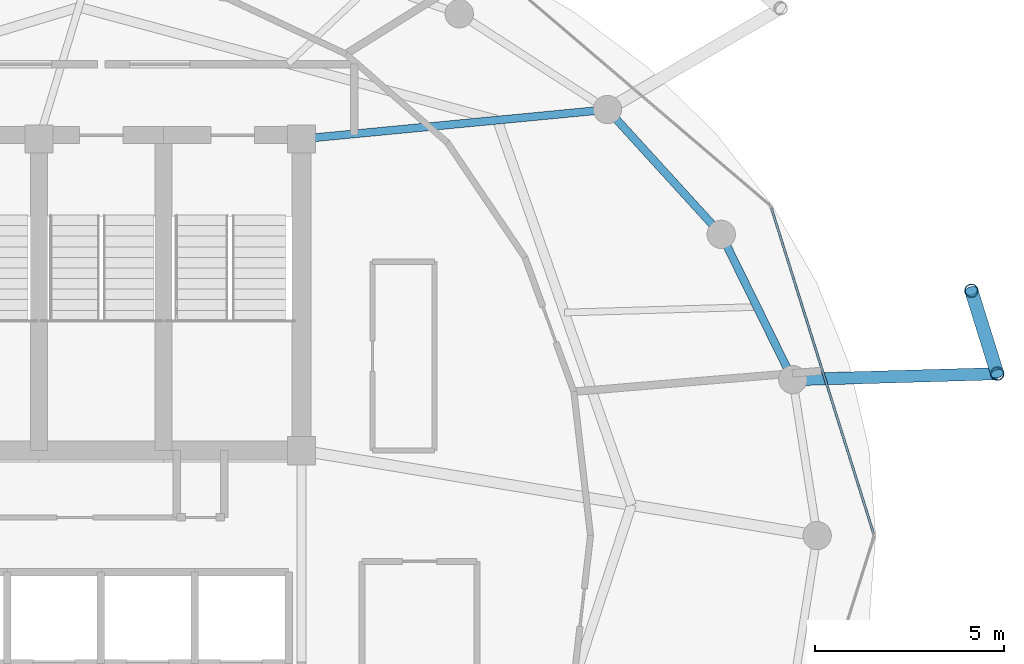
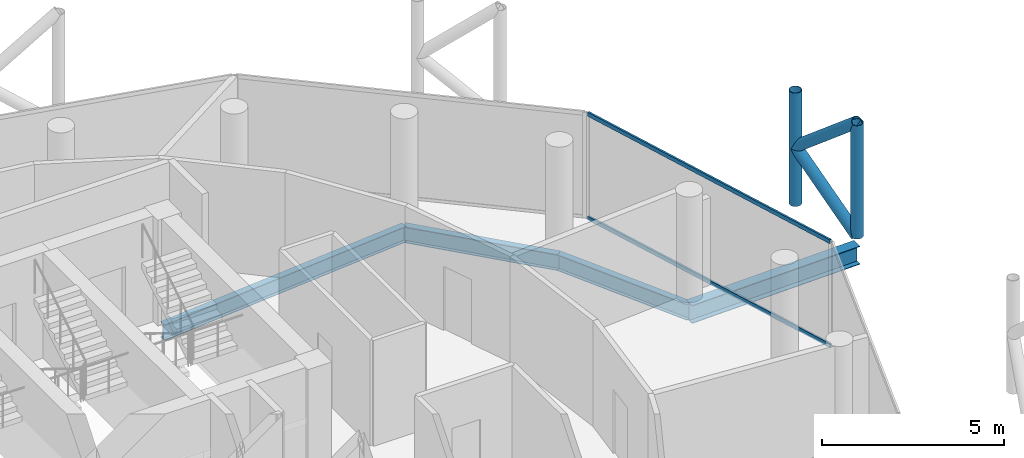
# One storey, part 13 of 24: 6 members, 4 beams, 1 element without a shape of its own.
"""IFC4 building model written with IfcOpenShell, lengths in metres."""

from ifc_helpers import new_model, si_unit, direction, frame, origin, origin_2d, place, context, subcontext, project, spatial, hollow_rectangle, hollow_circle, i_section, extrude, material, layer, layer_set, material_profile, profile_set, type_object, element, aggregate, save


model = new_model("IFC4")

# Units and contexts
model_context = context("Model", 3, precision=1e-05, world=origin(), true_north=direction((0.0, 1.0)))
body_context = subcontext(model_context, "Body", "Model", "MODEL_VIEW")
ifc_project = project(units=[si_unit("LENGTHUNIT", "METRE"), si_unit("AREAUNIT", "SQUARE_METRE"), si_unit("VOLUMEUNIT", "CUBIC_METRE"), si_unit("PLANEANGLEUNIT", "RADIAN"), si_unit("MASSUNIT", "GRAM", prefix="KILO")], contexts=[model_context])

# Site, building, storey
site_placement = place(None, origin())
site = spatial("IfcSite", under=ifc_project, at=site_placement, CompositionType="ELEMENT")
building_placement = place(site_placement, origin())
building = spatial("IfcBuilding", under=site, at=building_placement, Name="Nuhasar Tower", CompositionType="ELEMENT")
storey_placement = place(building_placement, frame((0.0, 0.0, 282.199951171875)))
storey = spatial("IfcBuildingStorey", under=building, at=storey_placement, Name="L70", CompositionType="ELEMENT", Elevation=282.199951171875)

# Beams
ifc_material_1 = material(Name="Steel S355", Category="steel")
ifc_material_profile_1 = material_profile(ifc_material_1, i_section(OverallWidth=0.208984375, OverallDepth=0.528076171875, WebThickness=0.009521484375, FlangeThickness=0.01318359375, at=origin_2d()), Name="W21X55")
ifc_profile_set_1 = profile_set([ifc_material_profile_1], Name="Steel S355")
beam_type_1 = type_object("IfcBeamType", Name="BM-RAD-W21X55", PredefinedType="BEAM", material=ifc_profile_set_1)
beam_1_placement = place(storey_placement, frame((44.300048828125, 37.300048828125, -0.52392578125), z_axis=(0.99542073054, 0.095590633496, 0.0), x_axis=(-0.095590633496, 0.99542073054, 0.0)))
element("IfcBeam", 1, at=beam_1_placement, inside=storey, type_object=beam_type_1, Name="L70 Radial Floor Girder 05", PredefinedType="BEAM", context=body_context, shape_type="SweptSolid", body=[
    extrude(i_section(OverallWidth=0.208984375, OverallDepth=0.528076171875, WebThickness=0.009521484375, FlangeThickness=0.01318359375, at=origin_2d()), origin(), (0.0, 0.0, 1.0), 8.13720703125),
])
ifc_material_profile_2 = material_profile(ifc_material_1, i_section(OverallWidth=0.2099609375, OverallDepth=0.537109375, WebThickness=0.010986328125, FlangeThickness=0.017333984375, at=origin_2d()), Name="W21X68")
ifc_profile_set_2 = profile_set([ifc_material_profile_2], Name="Steel S355")
beam_type_2 = type_object("IfcBeamType", Name="BM-RING-W21X68", PredefinedType="SPANDREL", material=ifc_profile_set_2)
beam_2_placement = place(storey_placement, frame((57.303955078125, 30.927978515625, -0.529052734375), z_axis=(-0.441533119295, 0.897244952377, 0.0), x_axis=(-0.897244952377, -0.441533119295, 0.0)))
element("IfcBeam", 2, at=beam_2_placement, inside=storey, type_object=beam_type_2, Name="L70 Perimeter Ring Spandrel 02", PredefinedType="SPANDREL", context=body_context, shape_type="SweptSolid", body=[
    extrude(i_section(OverallWidth=0.2099609375, OverallDepth=0.537109375, WebThickness=0.010986328125, FlangeThickness=0.017333984375, at=origin_2d()), origin(), (0.0, 0.0, 1.0), 4.28759765625),
])
beam_3_placement = place(storey_placement, frame((55.410888671875, 34.77490234375, -0.529052734375), z_axis=(-0.673686302939, 0.739017432293, 0.0), x_axis=(-0.739017432293, -0.673686302939, 0.0)))
element("IfcBeam", 3, at=beam_3_placement, inside=storey, type_object=beam_type_2, Name="L70 Perimeter Ring Spandrel 03", PredefinedType="SPANDREL", context=body_context, shape_type="SweptSolid", body=[
    extrude(i_section(OverallWidth=0.2099609375, OverallDepth=0.537109375, WebThickness=0.010986328125, FlangeThickness=0.017333984375, at=origin_2d()), origin(), (0.0, 0.0, 1.0), 4.469482421875),
])
ifc_material_profile_3 = material_profile(ifc_material_1, i_section(OverallWidth=0.323974609375, OverallDepth=0.611083984375, WebThickness=0.0126953125, FlangeThickness=0.01904296875, at=origin_2d()), Name="W24X104")
ifc_profile_set_3 = profile_set([ifc_material_profile_3], Name="Steel S355")
beam_type_3 = type_object("IfcBeamType", Name="BM-TIE-W24X104", PredefinedType="BEAM", material=ifc_profile_set_3)
beam_4_placement = place(storey_placement, frame((57.303955078125, 30.927978515625, -0.56494140625), z_axis=(0.999574661214, 0.029163275875, 0.0), x_axis=(-0.029163275875, 0.999574661214, 0.0)))
element("IfcBeam", 4, at=beam_4_placement, inside=storey, type_object=beam_type_3, Name="L70 Exoskeleton Node Tie Beam 01", PredefinedType="BEAM", context=body_context, shape_type="SweptSolid", body=[
    extrude(i_section(OverallWidth=0.323974609375, OverallDepth=0.611083984375, WebThickness=0.0126953125, FlangeThickness=0.01904296875, at=origin_2d()), origin(), (0.0, 0.0, 1.0), 5.416259765625),
])

# Curtain wall, members
ifc_material_2 = material(Name="Aluminium 6063-T6", Category="aluminium")
ifc_layer = layer(ifc_material_2, 0.18994140625)
ifc_layer_set = layer_set([ifc_layer], Name="Aluminium 6063-T6")
curtain_wall_type = type_object("IfcCurtainWallType", Name="CW-Z4-PEN", PredefinedType="NOTDEFINED", material=ifc_layer_set)
curtain_wall_placement = place(storey_placement, origin())
curtain_wall = element("IfcCurtainWall", 5, at=curtain_wall_placement, inside=storey, type_object=curtain_wall_type, Name="L70 Unitised Curtain Wall 01", PredefinedType="NOTDEFINED")
ifc_material_profile_4 = material_profile(ifc_material_2, hollow_rectangle(XDim=0.06005859375, YDim=0.135009765625, WallThickness=0.00439453125, at=origin_2d()), Name="CWT-5")
ifc_profile_set_4 = profile_set([ifc_material_profile_4], Name="Aluminium 6063-T6")
member_type_1 = type_object("IfcMemberType", Name="CW-TRN-S5", PredefinedType="USERDEFINED", material=ifc_profile_set_4)
member_1_placement = place(storey_placement, frame((59.442138671875, 26.857177734375, 0.030029296875), z_axis=(-0.29956014073, 0.954077419335, 0.0), x_axis=(-0.954077419335, -0.29956014073, 0.0)))
member_1 = element("IfcMember", 6, at=member_1_placement, type_object=member_type_1, Name="CW-Z4 transom 1.1", ObjectType="TRANSOM", PredefinedType="USERDEFINED", context=body_context, shape_type="SweptSolid", body=[
    extrude(hollow_rectangle(XDim=0.06005859375, YDim=0.135009765625, WallThickness=0.00439453125, at=origin_2d()), origin(), (0.0, 0.0, 1.0), 9.0302734375),
])
member_2_placement = place(storey_placement, frame((59.442138671875, 26.857177734375, 3.510009765625), z_axis=(-0.29956014073, 0.954077419335, 0.0), x_axis=(-0.954077419335, -0.29956014073, 0.0)))
member_2 = element("IfcMember", 7, at=member_2_placement, type_object=member_type_1, Name="CW-Z4 transom 1.2", ObjectType="TRANSOM", PredefinedType="USERDEFINED", context=body_context, shape_type="SweptSolid", body=[
    extrude(hollow_rectangle(XDim=0.06005859375, YDim=0.135009765625, WallThickness=0.00439453125, at=origin_2d()), origin(), (0.0, 0.0, 1.0), 9.0302734375),
])
aggregate(curtain_wall, [member_1, member_2])

# Members
ifc_material_3 = material(Name="Steel S460", Category="steel")
ifc_material_profile_5 = material_profile(ifc_material_3, hollow_circle(Radius=0.177734375, WallThickness=0.015869140625, at=origin_2d()), Name="HSS355.6X15.9")
ifc_profile_set_5 = profile_set([ifc_material_profile_5], Name="Steel S460")
member_type_2 = type_object("IfcMemberType", Name="EXO-BRONZE-356", PredefinedType="BRACE", material=ifc_profile_set_5)
for number, where, z_axis, x_axis, name in (
    (8, (62.718017578125, 31.0859375, 0.0), (0.0, 0.0, 1.0), (1.0, 0.0, 0.0), "L70 Exoskeleton Chord Column EC-01A"),
    (9, (62.032958984375, 33.281005859375, 0.0), (0.0, 0.0, 1.0), (1.0, 0.0, 0.0), "L70 Exoskeleton Chord Column EC-01B"),
):
    element("IfcMember", number, at=place(storey_placement, frame(where, z_axis=z_axis, x_axis=x_axis)), inside=storey, type_object=member_type_2, Name=name, PredefinedType="BRACE", context=body_context, shape_type="SweptSolid", body=[
        extrude(hollow_circle(Radius=0.177734375, WallThickness=0.015869140625, at=origin_2d()), origin(), (0.0, 0.0, 1.0), 3.800048828125),
    ])
for number, where, z_axis, x_axis, name in (
    (10, (62.718017578125, 31.0859375, 0.0), (-0.22965555433, 0.735863538482, 0.636995430987), (-0.954591372974, -0.297918295247, 0.0), "L70 Bronze Diagrid Brace W1-01"),
    (11, (62.032958984375, 33.281005859375, 1.900146484375), (0.229667527485, -0.735901902929, 0.636946792192), (0.954591372974, 0.297918295247, 0.0), "L70 Bronze Diagrid Brace W2-01"),
):
    element("IfcMember", number, at=place(storey_placement, frame(where, z_axis=z_axis, x_axis=x_axis)), inside=storey, type_object=member_type_2, Name=name, PredefinedType="BRACE", context=body_context, shape_type="SweptSolid", body=[
        extrude(hollow_circle(Radius=0.177734375, WallThickness=0.015869140625, at=origin_2d()), origin(), (0.0, 0.0, 1.0), 2.98291015625),
    ])

save(model, "model.ifc")
